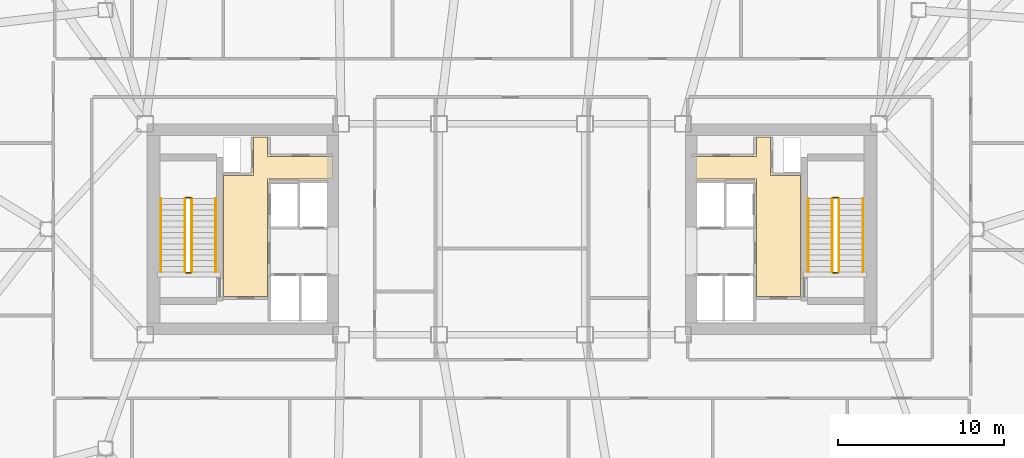
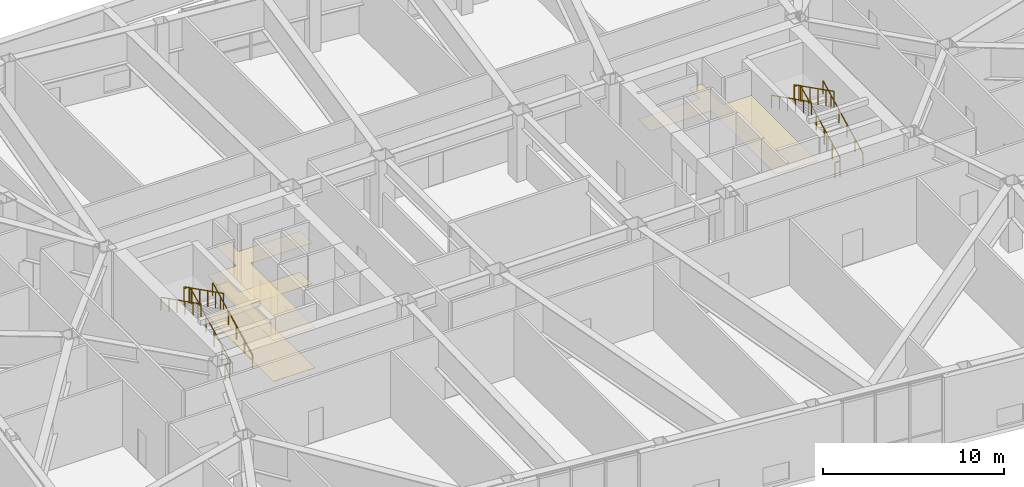
# One storey, part 19 of 19: 12 railings, 3 coverings.
"""IFC4 building model written with IfcOpenShell, lengths in metres."""

from ifc_helpers import new_model, si_unit, direction, frame, origin, origin_2d, place, context, subcontext, project, spatial, polyline, rectangle, outline, extrude, material, layer, layer_set, type_object, element, save


model = new_model("IFC4")

# Units and contexts
model_context = context("Model", 3, precision=1e-05, world=origin(), true_north=direction((0.0, 1.0)))
body_context = subcontext(model_context, "Body", "Model", "MODEL_VIEW")
ifc_project = project(units=[si_unit("LENGTHUNIT", "METRE"), si_unit("AREAUNIT", "SQUARE_METRE"), si_unit("VOLUMEUNIT", "CUBIC_METRE"), si_unit("PLANEANGLEUNIT", "RADIAN"), si_unit("MASSUNIT", "GRAM", prefix="KILO")], contexts=[model_context])

# Site, building, storey
site_placement = place(None, origin())
site = spatial("IfcSite", under=ifc_project, at=site_placement, CompositionType="ELEMENT")
building_placement = place(site_placement, origin())
building = spatial("IfcBuilding", under=site, at=building_placement, Name="Tavrogorsk Clinical Tower", CompositionType="ELEMENT")
storey_placement = place(building_placement, frame((0.0, 0.0, 141.39990234375)))
storey = spatial("IfcBuildingStorey", under=building, at=storey_placement, Name="L32", CompositionType="ELEMENT", Elevation=141.39990234375)

# Coverings
ifc_material_1 = material(Name="Antibacterial micro-perforated aluminium ceiling", Category="aluminium")
ifc_layer_1 = layer(ifc_material_1, 0.014892578125)
ifc_layer_set_1 = layer_set([ifc_layer_1], Name="Antibacterial micro-perforated aluminium ceiling")
covering_type_1 = type_object("IfcCoveringType", Name="ClinicalCeiling_15", PredefinedType="CEILING", material=ifc_layer_set_1)
covering_1_placement = place(storey_placement, frame((0.0, 0.0, 2.75)))
element("IfcCovering", 1, at=covering_1_placement, inside=storey, type_object=covering_type_1, Name="Core West Firefighting Lift Lobby Acoustic Ceiling", PredefinedType="CEILING", context=body_context, shape_type="SweptSolid", body=[
    extrude(outline(polyline([(-14.719970703125, 4.3798828125), (-10.800048828125, 4.3798828125), (-10.800048828125, 3.0400390625), (-14.719970703125, 3.0400390625), (-14.719970703125, -4.06005859375), (-17.3798828125, -4.06005859375), (-17.3798828125, 3.239990234375), (-15.56005859375, 3.239990234375), (-15.56005859375, 5.56005859375), (-14.719970703125, 5.56005859375), (-14.719970703125, 4.3798828125)])), origin(), (0.0, 0.0, 1.0), 0.01513671875),
])
covering_2_placement = place(storey_placement, frame((0.0, 0.0, 2.75)))
element("IfcCovering", 2, at=covering_2_placement, inside=storey, type_object=covering_type_1, Name="Core East Firefighting Lift Lobby Acoustic Ceiling", PredefinedType="CEILING", context=body_context, shape_type="SweptSolid", body=[
    extrude(outline(polyline([(14.719970703125, -4.06005859375), (14.719970703125, 3.0400390625), (10.800048828125, 3.0400390625), (10.800048828125, 4.3798828125), (14.719970703125, 4.3798828125), (14.719970703125, 5.56005859375), (15.56005859375, 5.56005859375), (15.56005859375, 3.239990234375), (17.3798828125, 3.239990234375), (17.3798828125, -4.06005859375), (14.719970703125, -4.06005859375)])), origin(), (0.0, 0.0, 1.0), 0.01513671875),
])
ifc_material_2 = material(Name="Homogeneous medical conductive PVC flooring")
ifc_layer_2 = layer(ifc_material_2, 0.008056640625)
ifc_layer_set_2 = layer_set([ifc_layer_2], Name="Homogeneous medical conductive PVC flooring")
covering_type_2 = type_object("IfcCoveringType", Name="ResilientVinylFloor_8", PredefinedType="FLOORING", material=ifc_layer_set_2)
covering_3_placement = place(storey_placement, origin())
element("IfcCovering", 3, at=covering_3_placement, inside=storey, type_object=covering_type_2, Name="Core West Firefighting Lift Lobby Conductive Vinyl Flooring", PredefinedType="FLOORING", context=body_context, shape_type="SweptSolid", body=[
    extrude(outline(polyline([(-14.719970703125, 4.3798828125), (-10.800048828125, 4.3798828125), (-10.800048828125, 3.0400390625), (-14.719970703125, 3.0400390625), (-14.719970703125, -4.06005859375), (-17.3798828125, -4.06005859375), (-17.3798828125, 3.239990234375), (-15.56005859375, 3.239990234375), (-15.56005859375, 5.56005859375), (-14.719970703125, 5.56005859375), (-14.719970703125, 4.3798828125)])), origin(), (0.0, 0.0, 1.0), 0.008056640625),
])

# Railings
ifc_material_3 = material(Name="Galvanised steel S355 safety stairwell guard", Category="steel")
ifc_layer_3 = layer(ifc_material_3, 0.06005859375)
ifc_layer_set_3 = layer_set([ifc_layer_3], Name="Galvanised steel S355 safety stairwell guard")
railing_type_1 = type_object("IfcRailingType", Name="StairGuard_1150", PredefinedType="GUARDRAIL", material=ifc_layer_set_3)
railing_1_placement = place(storey_placement, frame((-19.300048828125, -2.574951171875, 0.171630859375)))
element("IfcRailing", 4, at=railing_1_placement, inside=storey, type_object=railing_type_1, Name="L32 ST-W stair guard 1", PredefinedType="GUARDRAIL", context=body_context, shape_type="SweptSolid", body=[
    extrude(rectangle(XDim=0.048095703125, YDim=0.048095703125, at=origin_2d()), frame((0.0, 0.0, 1.076171875), z_axis=(0.0, 0.89292277971, 0.450209850486), x_axis=(-1.0, 0.0, 0.0)), (0.0, 0.0, 1.0), 4.949951171875),
    extrude(rectangle(XDim=0.0419921875, YDim=0.0419921875, at=origin_2d()), origin(), (0.0, 0.0, 1.0), 1.052001953125),
    extrude(rectangle(XDim=0.0419921875, YDim=0.0419921875, at=origin_2d()), frame((0.0, 0.884033203125, 0.44580078125)), (0.0, 0.0, 1.0), 1.052001953125),
    extrude(rectangle(XDim=0.0419921875, YDim=0.0419921875, at=origin_2d()), frame((0.0, 1.76806640625, 0.891357421875)), (0.0, 0.0, 1.0), 1.052001953125),
    extrude(rectangle(XDim=0.0419921875, YDim=0.0419921875, at=origin_2d()), frame((0.0, 2.65185546875, 1.337158203125)), (0.0, 0.0, 1.0), 1.052001953125),
    extrude(rectangle(XDim=0.0419921875, YDim=0.0419921875, at=origin_2d()), frame((0.0, 3.535888671875, 1.78271484375)), (0.0, 0.0, 1.0), 1.052001953125),
    extrude(rectangle(XDim=0.0419921875, YDim=0.0419921875, at=origin_2d()), frame((0.0, 4.419921875, 2.228515625)), (0.0, 0.0, 1.0), 1.052001953125),
])
railing_2_placement = place(storey_placement, frame((-19.35009765625, 1.89501953125, 2.400146484375)))
element("IfcRailing", 5, at=railing_2_placement, inside=storey, type_object=railing_type_1, Name="L32 ST-W stair guard 2", PredefinedType="GUARDRAIL", context=body_context, shape_type="SweptSolid", body=[
    extrude(rectangle(XDim=0.048095703125, YDim=0.048095703125, at=origin_2d()), frame((0.0, 0.0, 1.076171875), z_axis=(-1.0, 0.0, 0.0), x_axis=(0.0, -1.0, 0.0)), (0.0, 0.0, 1.0), 0.2998046875),
    extrude(rectangle(XDim=0.0419921875, YDim=0.0419921875, at=origin_2d()), origin(), (0.0, 0.0, 1.0), 1.052001953125),
    extrude(rectangle(XDim=0.0419921875, YDim=0.0419921875, at=origin_2d()), frame((-0.2998046875, 0.0, 0.0)), (0.0, 0.0, 1.0), 1.052001953125),
])
railing_3_placement = place(storey_placement, frame((-19.699951171875, 1.844970703125, 2.571533203125)))
element("IfcRailing", 6, at=railing_3_placement, inside=storey, type_object=railing_type_1, Name="L32 ST-W stair guard 3", PredefinedType="GUARDRAIL", context=body_context, shape_type="SweptSolid", body=[
    extrude(rectangle(XDim=0.048095703125, YDim=0.048095703125, at=origin_2d()), frame((0.0, 0.0, 1.076171875), z_axis=(0.0, -0.89292277971, 0.450209850486), x_axis=(1.0, 0.0, 0.0)), (0.0, 0.0, 1.0), 4.949951171875),
    extrude(rectangle(XDim=0.0419921875, YDim=0.0419921875, at=origin_2d()), origin(), (0.0, 0.0, 1.0), 1.052001953125),
    extrude(rectangle(XDim=0.0419921875, YDim=0.0419921875, at=origin_2d()), frame((0.0, -0.884033203125, 0.44580078125)), (0.0, 0.0, 1.0), 1.052001953125),
    extrude(rectangle(XDim=0.0419921875, YDim=0.0419921875, at=origin_2d()), frame((0.0, -1.76806640625, 0.891357421875)), (0.0, 0.0, 1.0), 1.052001953125),
    extrude(rectangle(XDim=0.0419921875, YDim=0.0419921875, at=origin_2d()), frame((0.0, -2.65185546875, 1.337158203125)), (0.0, 0.0, 1.0), 1.052001953125),
    extrude(rectangle(XDim=0.0419921875, YDim=0.0419921875, at=origin_2d()), frame((0.0, -3.535888671875, 1.78271484375)), (0.0, 0.0, 1.0), 1.052001953125),
    extrude(rectangle(XDim=0.0419921875, YDim=0.0419921875, at=origin_2d()), frame((0.0, -4.419921875, 2.228515625)), (0.0, 0.0, 1.0), 1.052001953125),
])
railing_4_placement = place(storey_placement, frame((-19.35009765625, -2.625, 0.0)))
element("IfcRailing", 7, at=railing_4_placement, inside=storey, type_object=railing_type_1, Name="L32 ST-W stair guard 4", PredefinedType="GUARDRAIL", context=body_context, shape_type="SweptSolid", body=[
    extrude(rectangle(XDim=0.048095703125, YDim=0.048095703125, at=origin_2d()), frame((0.0, 0.0, 1.076171875), z_axis=(-1.0, 0.0, 0.0), x_axis=(0.0, -1.0, 0.0)), (0.0, 0.0, 1.0), 0.2998046875),
    extrude(rectangle(XDim=0.0419921875, YDim=0.0419921875, at=origin_2d()), origin(), (0.0, 0.0, 1.0), 1.052001953125),
    extrude(rectangle(XDim=0.0419921875, YDim=0.0419921875, at=origin_2d()), frame((-0.2998046875, 0.0, 0.0)), (0.0, 0.0, 1.0), 1.052001953125),
])
railing_5_placement = place(storey_placement, frame((19.699951171875, -2.574951171875, 0.171630859375)))
element("IfcRailing", 8, at=railing_5_placement, inside=storey, type_object=railing_type_1, Name="L32 ST-E stair guard 1", PredefinedType="GUARDRAIL", context=body_context, shape_type="SweptSolid", body=[
    extrude(rectangle(XDim=0.048095703125, YDim=0.048095703125, at=origin_2d()), frame((0.0, 0.0, 1.076171875), z_axis=(0.0, 0.89292277971, 0.450209850486), x_axis=(-1.0, 0.0, 0.0)), (0.0, 0.0, 1.0), 4.949951171875),
    extrude(rectangle(XDim=0.0419921875, YDim=0.0419921875, at=origin_2d()), origin(), (0.0, 0.0, 1.0), 1.052001953125),
    extrude(rectangle(XDim=0.0419921875, YDim=0.0419921875, at=origin_2d()), frame((0.0, 0.884033203125, 0.44580078125)), (0.0, 0.0, 1.0), 1.052001953125),
    extrude(rectangle(XDim=0.0419921875, YDim=0.0419921875, at=origin_2d()), frame((0.0, 1.76806640625, 0.891357421875)), (0.0, 0.0, 1.0), 1.052001953125),
    extrude(rectangle(XDim=0.0419921875, YDim=0.0419921875, at=origin_2d()), frame((0.0, 2.65185546875, 1.337158203125)), (0.0, 0.0, 1.0), 1.052001953125),
    extrude(rectangle(XDim=0.0419921875, YDim=0.0419921875, at=origin_2d()), frame((0.0, 3.535888671875, 1.78271484375)), (0.0, 0.0, 1.0), 1.052001953125),
    extrude(rectangle(XDim=0.0419921875, YDim=0.0419921875, at=origin_2d()), frame((0.0, 4.419921875, 2.228515625)), (0.0, 0.0, 1.0), 1.052001953125),
])
railing_6_placement = place(storey_placement, frame((19.64990234375, 1.89501953125, 2.400146484375)))
element("IfcRailing", 9, at=railing_6_placement, inside=storey, type_object=railing_type_1, Name="L32 ST-E stair guard 2", PredefinedType="GUARDRAIL", context=body_context, shape_type="SweptSolid", body=[
    extrude(rectangle(XDim=0.048095703125, YDim=0.048095703125, at=origin_2d()), frame((0.0, 0.0, 1.076171875), z_axis=(-1.0, 0.0, 0.0), x_axis=(0.0, -1.0, 0.0)), (0.0, 0.0, 1.0), 0.2998046875),
    extrude(rectangle(XDim=0.0419921875, YDim=0.0419921875, at=origin_2d()), origin(), (0.0, 0.0, 1.0), 1.052001953125),
    extrude(rectangle(XDim=0.0419921875, YDim=0.0419921875, at=origin_2d()), frame((-0.2998046875, 0.0, 0.0)), (0.0, 0.0, 1.0), 1.052001953125),
])
railing_7_placement = place(storey_placement, frame((19.300048828125, 1.844970703125, 2.571533203125)))
element("IfcRailing", 10, at=railing_7_placement, inside=storey, type_object=railing_type_1, Name="L32 ST-E stair guard 3", PredefinedType="GUARDRAIL", context=body_context, shape_type="SweptSolid", body=[
    extrude(rectangle(XDim=0.048095703125, YDim=0.048095703125, at=origin_2d()), frame((0.0, 0.0, 1.076171875), z_axis=(0.0, -0.89292277971, 0.450209850486), x_axis=(1.0, 0.0, 0.0)), (0.0, 0.0, 1.0), 4.949951171875),
    extrude(rectangle(XDim=0.0419921875, YDim=0.0419921875, at=origin_2d()), origin(), (0.0, 0.0, 1.0), 1.052001953125),
    extrude(rectangle(XDim=0.0419921875, YDim=0.0419921875, at=origin_2d()), frame((0.0, -0.884033203125, 0.44580078125)), (0.0, 0.0, 1.0), 1.052001953125),
    extrude(rectangle(XDim=0.0419921875, YDim=0.0419921875, at=origin_2d()), frame((0.0, -1.76806640625, 0.891357421875)), (0.0, 0.0, 1.0), 1.052001953125),
    extrude(rectangle(XDim=0.0419921875, YDim=0.0419921875, at=origin_2d()), frame((0.0, -2.65185546875, 1.337158203125)), (0.0, 0.0, 1.0), 1.052001953125),
    extrude(rectangle(XDim=0.0419921875, YDim=0.0419921875, at=origin_2d()), frame((0.0, -3.535888671875, 1.78271484375)), (0.0, 0.0, 1.0), 1.052001953125),
    extrude(rectangle(XDim=0.0419921875, YDim=0.0419921875, at=origin_2d()), frame((0.0, -4.419921875, 2.228515625)), (0.0, 0.0, 1.0), 1.052001953125),
])
railing_8_placement = place(storey_placement, frame((19.64990234375, -2.625, 0.0)))
element("IfcRailing", 11, at=railing_8_placement, inside=storey, type_object=railing_type_1, Name="L32 ST-E stair guard 4", PredefinedType="GUARDRAIL", context=body_context, shape_type="SweptSolid", body=[
    extrude(rectangle(XDim=0.048095703125, YDim=0.048095703125, at=origin_2d()), frame((0.0, 0.0, 1.076171875), z_axis=(-1.0, 0.0, 0.0), x_axis=(0.0, -1.0, 0.0)), (0.0, 0.0, 1.0), 0.2998046875),
    extrude(rectangle(XDim=0.0419921875, YDim=0.0419921875, at=origin_2d()), origin(), (0.0, 0.0, 1.0), 1.052001953125),
    extrude(rectangle(XDim=0.0419921875, YDim=0.0419921875, at=origin_2d()), frame((-0.2998046875, 0.0, 0.0)), (0.0, 0.0, 1.0), 1.052001953125),
])
ifc_material_4 = material(Name="Stainless steel AISI 304 tubular handrail", Category="steel")
ifc_layer_4 = layer(ifc_material_4, 0.050048828125)
ifc_layer_set_4 = layer_set([ifc_layer_4], Name="Stainless steel AISI 304 tubular handrail")
railing_type_2 = type_object("IfcRailingType", Name="StairHandrail_920", PredefinedType="HANDRAIL", material=ifc_layer_set_4)
railing_9_placement = place(storey_placement, frame((-17.85009765625, -2.574951171875, 0.171630859375)))
element("IfcRailing", 12, at=railing_9_placement, inside=storey, type_object=railing_type_2, Name="L32 ST-W stair handrail 1", PredefinedType="HANDRAIL", context=body_context, shape_type="SweptSolid", body=[
    extrude(rectangle(XDim=0.048095703125, YDim=0.048095703125, at=origin_2d()), frame((0.0, 0.0, 0.8759765625), z_axis=(0.0, 0.89292277971, 0.450209850486), x_axis=(-1.0, 0.0, 0.0)), (0.0, 0.0, 1.0), 4.949951171875),
    extrude(rectangle(XDim=0.0419921875, YDim=0.0419921875, at=origin_2d()), origin(), (0.0, 0.0, 1.0), 0.851806640625),
    extrude(rectangle(XDim=0.0419921875, YDim=0.0419921875, at=origin_2d()), frame((0.0, 0.884033203125, 0.44580078125)), (0.0, 0.0, 1.0), 0.851806640625),
    extrude(rectangle(XDim=0.0419921875, YDim=0.0419921875, at=origin_2d()), frame((0.0, 1.76806640625, 0.891357421875)), (0.0, 0.0, 1.0), 0.851806640625),
    extrude(rectangle(XDim=0.0419921875, YDim=0.0419921875, at=origin_2d()), frame((0.0, 2.65185546875, 1.337158203125)), (0.0, 0.0, 1.0), 0.851806640625),
    extrude(rectangle(XDim=0.0419921875, YDim=0.0419921875, at=origin_2d()), frame((0.0, 3.535888671875, 1.78271484375)), (0.0, 0.0, 1.0), 0.851806640625),
    extrude(rectangle(XDim=0.0419921875, YDim=0.0419921875, at=origin_2d()), frame((0.0, 4.419921875, 2.228515625)), (0.0, 0.0, 1.0), 0.851806640625),
])
railing_10_placement = place(storey_placement, frame((-21.14990234375, 1.844970703125, 2.571533203125)))
element("IfcRailing", 13, at=railing_10_placement, inside=storey, type_object=railing_type_2, Name="L32 ST-W stair handrail 2", PredefinedType="HANDRAIL", context=body_context, shape_type="SweptSolid", body=[
    extrude(rectangle(XDim=0.048095703125, YDim=0.048095703125, at=origin_2d()), frame((0.0, 0.0, 0.8759765625), z_axis=(0.0, -0.89292277971, 0.450209850486), x_axis=(1.0, 0.0, 0.0)), (0.0, 0.0, 1.0), 4.949951171875),
    extrude(rectangle(XDim=0.0419921875, YDim=0.0419921875, at=origin_2d()), origin(), (0.0, 0.0, 1.0), 0.851806640625),
    extrude(rectangle(XDim=0.0419921875, YDim=0.0419921875, at=origin_2d()), frame((0.0, -0.884033203125, 0.44580078125)), (0.0, 0.0, 1.0), 0.851806640625),
    extrude(rectangle(XDim=0.0419921875, YDim=0.0419921875, at=origin_2d()), frame((0.0, -1.76806640625, 0.891357421875)), (0.0, 0.0, 1.0), 0.851806640625),
    extrude(rectangle(XDim=0.0419921875, YDim=0.0419921875, at=origin_2d()), frame((0.0, -2.65185546875, 1.337158203125)), (0.0, 0.0, 1.0), 0.851806640625),
    extrude(rectangle(XDim=0.0419921875, YDim=0.0419921875, at=origin_2d()), frame((0.0, -3.535888671875, 1.78271484375)), (0.0, 0.0, 1.0), 0.851806640625),
    extrude(rectangle(XDim=0.0419921875, YDim=0.0419921875, at=origin_2d()), frame((0.0, -4.419921875, 2.228515625)), (0.0, 0.0, 1.0), 0.851806640625),
])
railing_11_placement = place(storey_placement, frame((21.14990234375, -2.574951171875, 0.171630859375)))
element("IfcRailing", 14, at=railing_11_placement, inside=storey, type_object=railing_type_2, Name="L32 ST-E stair handrail 1", PredefinedType="HANDRAIL", context=body_context, shape_type="SweptSolid", body=[
    extrude(rectangle(XDim=0.048095703125, YDim=0.048095703125, at=origin_2d()), frame((0.0, 0.0, 0.8759765625), z_axis=(0.0, 0.89292277971, 0.450209850486), x_axis=(-1.0, 0.0, 0.0)), (0.0, 0.0, 1.0), 4.949951171875),
    extrude(rectangle(XDim=0.0419921875, YDim=0.0419921875, at=origin_2d()), origin(), (0.0, 0.0, 1.0), 0.851806640625),
    extrude(rectangle(XDim=0.0419921875, YDim=0.0419921875, at=origin_2d()), frame((0.0, 0.884033203125, 0.44580078125)), (0.0, 0.0, 1.0), 0.851806640625),
    extrude(rectangle(XDim=0.0419921875, YDim=0.0419921875, at=origin_2d()), frame((0.0, 1.76806640625, 0.891357421875)), (0.0, 0.0, 1.0), 0.851806640625),
    extrude(rectangle(XDim=0.0419921875, YDim=0.0419921875, at=origin_2d()), frame((0.0, 2.65185546875, 1.337158203125)), (0.0, 0.0, 1.0), 0.851806640625),
    extrude(rectangle(XDim=0.0419921875, YDim=0.0419921875, at=origin_2d()), frame((0.0, 3.535888671875, 1.78271484375)), (0.0, 0.0, 1.0), 0.851806640625),
    extrude(rectangle(XDim=0.0419921875, YDim=0.0419921875, at=origin_2d()), frame((0.0, 4.419921875, 2.228515625)), (0.0, 0.0, 1.0), 0.851806640625),
])
railing_12_placement = place(storey_placement, frame((17.85009765625, 1.844970703125, 2.571533203125)))
element("IfcRailing", 15, at=railing_12_placement, inside=storey, type_object=railing_type_2, Name="L32 ST-E stair handrail 2", PredefinedType="HANDRAIL", context=body_context, shape_type="SweptSolid", body=[
    extrude(rectangle(XDim=0.048095703125, YDim=0.048095703125, at=origin_2d()), frame((0.0, 0.0, 0.8759765625), z_axis=(0.0, -0.89292277971, 0.450209850486), x_axis=(1.0, 0.0, 0.0)), (0.0, 0.0, 1.0), 4.949951171875),
    extrude(rectangle(XDim=0.0419921875, YDim=0.0419921875, at=origin_2d()), origin(), (0.0, 0.0, 1.0), 0.851806640625),
    extrude(rectangle(XDim=0.0419921875, YDim=0.0419921875, at=origin_2d()), frame((0.0, -0.884033203125, 0.44580078125)), (0.0, 0.0, 1.0), 0.851806640625),
    extrude(rectangle(XDim=0.0419921875, YDim=0.0419921875, at=origin_2d()), frame((0.0, -1.76806640625, 0.891357421875)), (0.0, 0.0, 1.0), 0.851806640625),
    extrude(rectangle(XDim=0.0419921875, YDim=0.0419921875, at=origin_2d()), frame((0.0, -2.65185546875, 1.337158203125)), (0.0, 0.0, 1.0), 0.851806640625),
    extrude(rectangle(XDim=0.0419921875, YDim=0.0419921875, at=origin_2d()), frame((0.0, -3.535888671875, 1.78271484375)), (0.0, 0.0, 1.0), 0.851806640625),
    extrude(rectangle(XDim=0.0419921875, YDim=0.0419921875, at=origin_2d()), frame((0.0, -4.419921875, 2.228515625)), (0.0, 0.0, 1.0), 0.851806640625),
])

save(model, "model.ifc")
